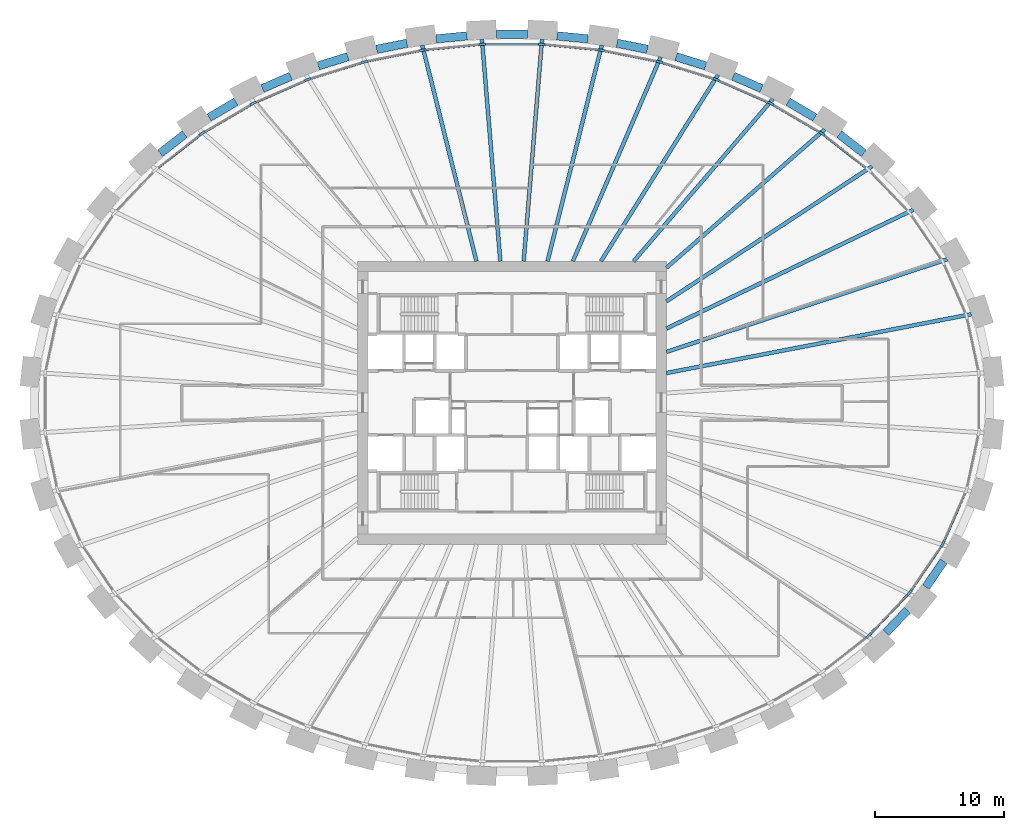
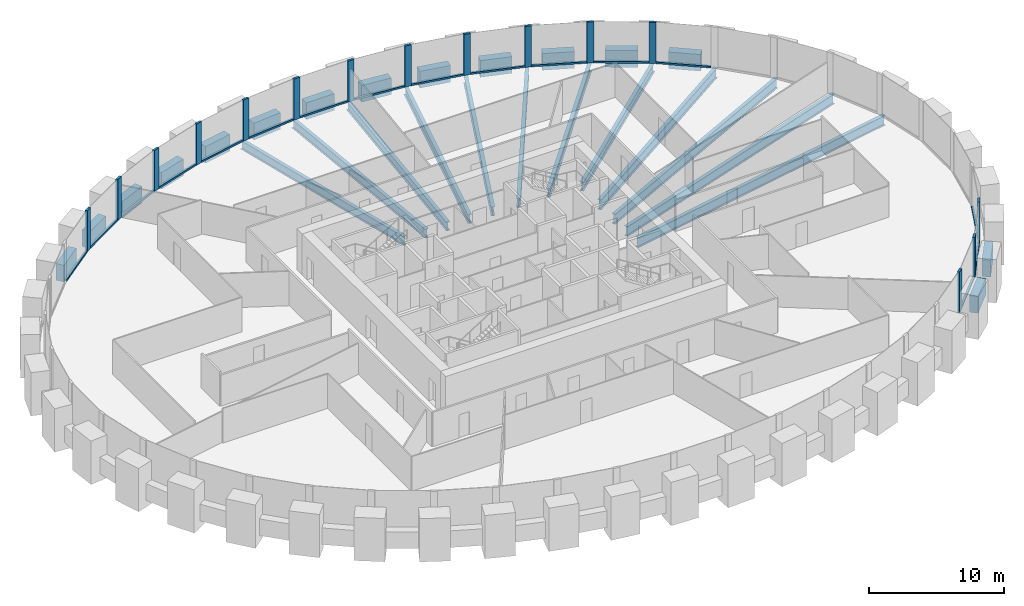
# One storey, part 3 of 10: 31 members, 27 beams, 1 element without a shape of its own.
"""IFC4 building model written with IfcOpenShell, lengths in metres."""

from ifc_helpers import new_model, si_unit, direction, frame, origin, origin_2d, place, context, subcontext, project, spatial, rectangle, i_section, extrude, source, transform, mapped, material, material_profile, profile_set, type_object, element, aggregate, save


model = new_model("IFC4")

# Units and contexts
model_context = context("Model", 3, precision=1e-05, world=origin(), true_north=direction((0.0, 1.0)))
body_context = subcontext(model_context, "Body", "Model", "MODEL_VIEW")
ifc_project = project(units=[si_unit("LENGTHUNIT", "METRE"), si_unit("AREAUNIT", "SQUARE_METRE"), si_unit("VOLUMEUNIT", "CUBIC_METRE"), si_unit("PLANEANGLEUNIT", "RADIAN"), si_unit("MASSUNIT", "GRAM", prefix="KILO")], contexts=[model_context])

# Site, building, storey
site_placement = place(None, origin())
site = spatial("IfcSite", under=ifc_project, at=site_placement, CompositionType="ELEMENT")
building_placement = place(site_placement, origin())
building = spatial("IfcBuilding", under=site, at=building_placement, Name="Embergate Tower", CompositionType="ELEMENT")
storey_placement = place(building_placement, frame((0.0, 0.0, 163.800048828125)))
storey = spatial("IfcBuildingStorey", under=building, at=storey_placement, Name="L36", CompositionType="ELEMENT", Elevation=163.800048828125)

# Beams
ifc_material_1 = material(Name="Concrete C70", Category="concrete")
ifc_material_profile_1 = material_profile(ifc_material_1, rectangle(XDim=0.64990234375, YDim=1.5, at=origin_2d()), Name="RC 650x1500")
ifc_profile_set_1 = profile_set([ifc_material_profile_1], Name="Concrete C70")
beam_type_1 = type_object("IfcBeamType", Name="Spandrel beam RC 650x1500 C70", PredefinedType="BEAM", material=ifc_profile_set_1)
shared_shape_1 = source(origin(), body_context, "Body", "SweptSolid", [
    extrude(rectangle(XDim=0.64990234375, YDim=1.5, at=origin_2d()), origin(), (0.0, 0.0, 1.0), 2.42724609375),
])
beam_1_placement = place(storey_placement, frame((32.175048828125, -14.322021484375, 0.0), z_axis=(0.562359541569, 0.826892826191, 0.0), x_axis=(-0.826892826191, 0.562359541569, 0.0)))
element("IfcBeam", 1, at=beam_1_placement, inside=storey, type_object=beam_type_1, Name="SPN-L36-40", PredefinedType="BEAM", context=body_context, shape_type="MappedRepresentation", body=[
    mapped(shared_shape_1, transform((0.0, 0.0, 0.0))),
])
shared_shape_2 = source(origin(), body_context, "Body", "SweptSolid", [
    extrude(rectangle(XDim=0.64990234375, YDim=1.5, at=origin_2d()), origin(), (0.0, 0.0, 1.0), 2.421630859375),
])
beam_2_placement = place(storey_placement, frame((29.05908203125, -17.864013671875, 0.0), z_axis=(0.68996725843, 0.723840577955, 0.0), x_axis=(-0.723840577955, 0.68996725843, 0.0)))
element("IfcBeam", 2, at=beam_2_placement, inside=storey, type_object=beam_type_1, Name="SPN-L36-39", PredefinedType="BEAM", context=body_context, shape_type="MappedRepresentation", body=[
    mapped(shared_shape_2, transform((0.0, 0.0, 0.0))),
])
shared_shape_3 = source(origin(), body_context, "Body", "SweptSolid", [
    extrude(rectangle(XDim=0.64990234375, YDim=1.5, at=origin_2d()), origin(), (0.0, 0.0, 1.0), 2.415283203125),
])
for number, where, z_axis, x_axis, name in (
    (3, (27.341064453125, 19.39306640625, 0.0), (-0.788366005977, 0.61520650242, 0.0), (-0.61520650242, -0.788366005977, 0.0), "SPN-L36-04"),
    (4, (-25.43701171875, 20.87890625, 0.0), (-0.788366005977, -0.61520650242, 0.0), (0.61520650242, -0.788366005977, 0.0), "SPN-L36-16"),
):
    element("IfcBeam", number, at=place(storey_placement, frame(where, z_axis=z_axis, x_axis=x_axis)), inside=storey, type_object=beam_type_1, Name=name, PredefinedType="BEAM", context=body_context, shape_type="MappedRepresentation", body=[
        mapped(shared_shape_3, transform((0.0, 0.0, 0.0))),
    ])
shared_shape_4 = source(origin(), body_context, "Body", "SweptSolid", [
    extrude(rectangle(XDim=0.64990234375, YDim=1.5, at=origin_2d()), origin(), (0.0, 0.0, 1.0), 2.41015625),
])
for number, where, z_axis, x_axis, name in (
    (5, (23.534912109375, 22.172119140625, 0.0), (-0.862176302717, 0.506608352707, 0.0), (-0.506608352707, -0.862176302717, 0.0), "SPN-L36-05"),
    (6, (-21.45703125, 23.39306640625, 0.0), (-0.862176302717, -0.506608352707, 0.0), (0.506608352707, -0.862176302717, 0.0), "SPN-L36-15"),
):
    element("IfcBeam", number, at=place(storey_placement, frame(where, z_axis=z_axis, x_axis=x_axis)), inside=storey, type_object=beam_type_1, Name=name, PredefinedType="BEAM", context=body_context, shape_type="MappedRepresentation", body=[
        mapped(shared_shape_4, transform((0.0, 0.0, 0.0))),
    ])
shared_shape_5 = source(origin(), body_context, "Body", "SweptSolid", [
    extrude(rectangle(XDim=0.64990234375, YDim=1.5, at=origin_2d()), origin(), (0.0, 0.0, 1.0), 2.405029296875),
])
for number, where, z_axis, x_axis, name in (
    (7, (19.39892578125, 24.4208984375, 0.0), (-0.916318010886, 0.400451373983, 0.0), (-0.400451373983, -0.916318010886, 0.0), "SPN-L36-06"),
    (8, (-17.195068359375, 25.384033203125, 0.0), (-0.916318010886, -0.400451373983, 0.0), (0.400451373983, -0.916318010886, 0.0), "SPN-L36-14"),
):
    element("IfcBeam", number, at=place(storey_placement, frame(where, z_axis=z_axis, x_axis=x_axis)), inside=storey, type_object=beam_type_1, Name=name, PredefinedType="BEAM", context=body_context, shape_type="MappedRepresentation", body=[
        mapped(shared_shape_5, transform((0.0, 0.0, 0.0))),
    ])
shared_shape_6 = source(origin(), body_context, "Body", "SweptSolid", [
    extrude(rectangle(XDim=0.64990234375, YDim=1.5, at=origin_2d()), origin(), (0.0, 0.0, 1.0), 2.40283203125),
])
for number, where, z_axis, x_axis, name in (
    (9, (15.0400390625, 26.18798828125, 0.0), (-0.954689462561, 0.297603813946, 0.0), (-0.297603813946, -0.954689462561, 0.0), "SPN-L36-07"),
    (10, (-12.74609375, 26.903076171875, 0.0), (-0.954689462561, -0.297603813946, 0.0), (0.297603813946, -0.954689462561, 0.0), "SPN-L36-13"),
):
    element("IfcBeam", number, at=place(storey_placement, frame(where, z_axis=z_axis, x_axis=x_axis)), inside=storey, type_object=beam_type_1, Name=name, PredefinedType="BEAM", context=body_context, shape_type="MappedRepresentation", body=[
        mapped(shared_shape_6, transform((0.0, 0.0, 0.0))),
    ])
shared_shape_7 = source(origin(), body_context, "Body", "SweptSolid", [
    extrude(rectangle(XDim=0.64990234375, YDim=1.5, at=origin_2d()), origin(), (0.0, 0.0, 1.0), 2.402099609375),
])
for number, where, z_axis, x_axis, name in (
    (11, (10.51708984375, 27.471923828125, 0.0), (-0.980408294351, 0.196976080702, 0.0), (-0.196976080702, -0.980408294351, 0.0), "SPN-L36-08"),
    (12, (-8.162109375, 27.945068359375, 0.0), (-0.980408294351, -0.196976080702, 0.0), (0.196976080702, -0.980408294351, 0.0), "SPN-L36-12"),
):
    element("IfcBeam", number, at=place(storey_placement, frame(where, z_axis=z_axis, x_axis=x_axis)), inside=storey, type_object=beam_type_1, Name=name, PredefinedType="BEAM", context=body_context, shape_type="MappedRepresentation", body=[
        mapped(shared_shape_7, transform((0.0, 0.0, 0.0))),
    ])
shared_shape_8 = source(origin(), body_context, "Body", "SweptSolid", [
    extrude(rectangle(XDim=0.64990234375, YDim=1.5, at=origin_2d()), origin(), (0.0, 0.0, 1.0), 2.4013671875),
])
for number, where, z_axis, x_axis, name in (
    (13, (5.886962890625, 28.283935546875, 0.0), (-0.995235491499, 0.097500340826, 0.0), (-0.097500340826, -0.995235491499, 0.0), "SPN-L36-09"),
    (14, (-3.4970703125, 28.51806640625, 0.0), (-0.995235491499, -0.097500340826, 0.0), (0.097500340826, -0.995235491499, 0.0), "SPN-L36-11"),
):
    element("IfcBeam", number, at=place(storey_placement, frame(where, z_axis=z_axis, x_axis=x_axis)), inside=storey, type_object=beam_type_1, Name=name, PredefinedType="BEAM", context=body_context, shape_type="MappedRepresentation", body=[
        mapped(shared_shape_8, transform((0.0, 0.0, 0.0))),
    ])
shared_shape_9 = source(origin(), body_context, "Body", "SweptSolid", [
    extrude(rectangle(XDim=0.64990234375, YDim=1.5, at=origin_2d()), origin(), (0.0, 0.0, 1.0), 2.39990234375),
])
beam_3_placement = place(storey_placement, frame((1.199951171875, 28.631103515625, 0.0), z_axis=(-1.0, 0.0, 0.0), x_axis=(0.0, -1.0, 0.0)))
element("IfcBeam", 15, at=beam_3_placement, inside=storey, type_object=beam_type_1, Name="SPN-L36-10", PredefinedType="BEAM", context=body_context, shape_type="MappedRepresentation", body=[
    mapped(shared_shape_9, transform((0.0, 0.0, 0.0))),
])
ifc_material_2 = material(Name="Steel Q355B", Category="steel")
ifc_material_profile_2 = material_profile(ifc_material_2, i_section(OverallWidth=0.300048828125, OverallDepth=0.89990234375, WebThickness=0.01611328125, FlangeThickness=0.028076171875, FilletRadius=0.028076171875, at=origin_2d()), Name="HN 900x300x16x28")
ifc_profile_set_2 = profile_set([ifc_material_profile_2], Name="Steel Q355 grade B")
beam_type_2 = type_object("IfcBeamType", Name="Radial girder HN 900x300x16x28", PredefinedType="BEAM", material=ifc_profile_set_2)
shared_shape_10 = source(origin(), body_context, "Body", "SweptSolid", [
    extrude(i_section(OverallWidth=0.300048828125, OverallDepth=0.89990234375, WebThickness=0.01611328125, FlangeThickness=0.028076171875, FilletRadius=0.028076171875, at=origin_2d()), origin(), (0.0, 0.0, 1.0), 24.12548828125),
])
beam_4_placement = place(storey_placement, frame((35.68896484375, 6.884033203125, -0.650146484375), z_axis=(-0.981902359672, -0.189387845628, 0.0), x_axis=(0.189387845628, -0.981902359672, 0.0)))
element("IfcBeam", 16, at=beam_4_placement, inside=storey, type_object=beam_type_2, Name="GIR-L36-01", PredefinedType="BEAM", context=body_context, shape_type="MappedRepresentation", body=[
    mapped(shared_shape_10, transform((0.0, 0.0, 0.0))),
])
shared_shape_11 = source(origin(), body_context, "Body", "SweptSolid", [
    extrude(i_section(OverallWidth=0.300048828125, OverallDepth=0.89990234375, WebThickness=0.01611328125, FlangeThickness=0.028076171875, FilletRadius=0.028076171875, at=origin_2d()), origin(), (0.0, 0.0, 1.0), 22.97265625),
])
beam_5_placement = place(storey_placement, frame((33.81689453125, 11.152099609375, -0.650146484375), z_axis=(-0.949687014879, -0.313200532838, 0.0), x_axis=(0.313200532838, -0.949687014879, 0.0)))
element("IfcBeam", 17, at=beam_5_placement, inside=storey, type_object=beam_type_2, Name="GIR-L36-02", PredefinedType="BEAM", context=body_context, shape_type="MappedRepresentation", body=[
    mapped(shared_shape_11, transform((0.0, 0.0, 0.0))),
])
shared_shape_12 = source(origin(), body_context, "Body", "SweptSolid", [
    extrude(i_section(OverallWidth=0.300048828125, OverallDepth=0.89990234375, WebThickness=0.01611328125, FlangeThickness=0.028076171875, FilletRadius=0.028076171875, at=origin_2d()), origin(), (0.0, 0.0, 1.0), 21.301025390625),
])
beam_6_placement = place(storey_placement, frame((31.195068359375, 15.008056640625, -0.650146484375), z_axis=(-0.901129390798, -0.433550252035, 0.0), x_axis=(0.433550252035, -0.901129390798, 0.0)))
element("IfcBeam", 18, at=beam_6_placement, inside=storey, type_object=beam_type_2, Name="GIR-L36-03", PredefinedType="BEAM", context=body_context, shape_type="MappedRepresentation", body=[
    mapped(shared_shape_12, transform((0.0, 0.0, 0.0))),
])
shared_shape_13 = source(origin(), body_context, "Body", "SweptSolid", [
    extrude(i_section(OverallWidth=0.300048828125, OverallDepth=0.89990234375, WebThickness=0.01611328125, FlangeThickness=0.028076171875, FilletRadius=0.028076171875, at=origin_2d()), origin(), (0.0, 0.0, 1.0), 19.1181640625),
])
beam_7_placement = place(storey_placement, frame((27.97802734375, 18.382080078125, -0.650146484375), z_axis=(-0.835748679781, -0.549112141775, 0.0), x_axis=(0.549112141775, -0.835748679781, 0.0)))
element("IfcBeam", 19, at=beam_7_placement, inside=storey, type_object=beam_type_2, Name="GIR-L36-04", PredefinedType="BEAM", context=body_context, shape_type="MappedRepresentation", body=[
    mapped(shared_shape_13, transform((0.0, 0.0, 0.0))),
])
ifc_material_profile_3 = material_profile(ifc_material_2, i_section(OverallWidth=0.300048828125, OverallDepth=0.800048828125, WebThickness=0.013916015625, FlangeThickness=0.02587890625, FilletRadius=0.028076171875, at=origin_2d()), Name="HN 800x300x14x26")
ifc_profile_set_3 = profile_set([ifc_material_profile_3], Name="Steel Q355 grade B")
beam_type_3 = type_object("IfcBeamType", Name="Radial girder HN 800x300x14x26", PredefinedType="BEAM", material=ifc_profile_set_3)
shared_shape_14 = source(origin(), body_context, "Body", "SweptSolid", [
    extrude(i_section(OverallWidth=0.300048828125, OverallDepth=0.800048828125, WebThickness=0.013916015625, FlangeThickness=0.02587890625, FilletRadius=0.028076171875, at=origin_2d()), origin(), (0.0, 0.0, 1.0), 16.341796875),
])
beam_8_placement = place(storey_placement, frame((24.301025390625, 21.251953125, -0.60009765625), z_axis=(-0.752738629267, -0.65831949387, 0.0), x_axis=(0.65831949387, -0.752738629267, 0.0)))
element("IfcBeam", 20, at=beam_8_placement, inside=storey, type_object=beam_type_3, Name="GIR-L36-05", PredefinedType="BEAM", context=body_context, shape_type="MappedRepresentation", body=[
    mapped(shared_shape_14, transform((0.0, 0.0, 0.0))),
])
shared_shape_15 = source(origin(), body_context, "Body", "SweptSolid", [
    extrude(i_section(OverallWidth=0.300048828125, OverallDepth=0.800048828125, WebThickness=0.013916015625, FlangeThickness=0.02587890625, FilletRadius=0.028076171875, at=origin_2d()), origin(), (0.0, 0.0, 1.0), 16.62939453125),
])
beam_9_placement = place(storey_placement, frame((20.280029296875, 23.615966796875, -0.60009765625), z_axis=(-0.651494757219, -0.758653136364, 0.0), x_axis=(0.758653136364, -0.651494757219, 0.0)))
element("IfcBeam", 21, at=beam_9_placement, inside=storey, type_object=beam_type_3, Name="GIR-L36-06", PredefinedType="BEAM", context=body_context, shape_type="MappedRepresentation", body=[
    mapped(shared_shape_15, transform((0.0, 0.0, 0.0))),
])
shared_shape_16 = source(origin(), body_context, "Body", "SweptSolid", [
    extrude(i_section(OverallWidth=0.300048828125, OverallDepth=0.800048828125, WebThickness=0.013916015625, FlangeThickness=0.02587890625, FilletRadius=0.028076171875, at=origin_2d()), origin(), (0.0, 0.0, 1.0), 17.103271484375),
])
beam_10_placement = place(storey_placement, frame((16.0048828125, 25.48388671875, -0.60009765625), z_axis=(-0.531827416629, -0.846852761064, 0.0), x_axis=(0.846852761064, -0.531827416629, 0.0)))
element("IfcBeam", 22, at=beam_10_placement, inside=storey, type_object=beam_type_3, Name="GIR-L36-07", PredefinedType="BEAM", context=body_context, shape_type="MappedRepresentation", body=[
    mapped(shared_shape_16, transform((0.0, 0.0, 0.0))),
])
shared_shape_17 = source(origin(), body_context, "Body", "SweptSolid", [
    extrude(i_section(OverallWidth=0.300048828125, OverallDepth=0.800048828125, WebThickness=0.013916015625, FlangeThickness=0.02587890625, FilletRadius=0.028076171875, at=origin_2d()), origin(), (0.0, 0.0, 1.0), 17.2763671875),
])
beam_11_placement = place(storey_placement, frame((11.551025390625, 26.8720703125, -0.60009765625), z_axis=(-0.394930430289, -0.918711029232, 0.0), x_axis=(0.918711029232, -0.394930430289, 0.0)))
element("IfcBeam", 23, at=beam_11_placement, inside=storey, type_object=beam_type_3, Name="GIR-L36-08", PredefinedType="BEAM", context=body_context, shape_type="MappedRepresentation", body=[
    mapped(shared_shape_17, transform((0.0, 0.0, 0.0))),
])
shared_shape_18 = source(origin(), body_context, "Body", "SweptSolid", [
    extrude(i_section(OverallWidth=0.300048828125, OverallDepth=0.800048828125, WebThickness=0.013916015625, FlangeThickness=0.02587890625, FilletRadius=0.028076171875, at=origin_2d()), origin(), (0.0, 0.0, 1.0), 17.31103515625),
])
for number, where, z_axis, x_axis, name in (
    (24, (6.97607421875, 27.7900390625, -0.60009765625), (-0.243491204419, -0.969903105145, 0.0), (0.969903105145, -0.243491204419, 0.0), "GIR-L36-09"),
    (25, (-6.97607421875, 27.7900390625, -0.60009765625), (0.243491204419, -0.969903105145, 0.0), (0.969903105145, 0.243491204419, 0.0), "GIR-L36-12"),
):
    element("IfcBeam", number, at=place(storey_placement, frame(where, z_axis=z_axis, x_axis=x_axis)), inside=storey, type_object=beam_type_3, Name=name, PredefinedType="BEAM", context=body_context, shape_type="MappedRepresentation", body=[
        mapped(shared_shape_18, transform((0.0, 0.0, 0.0))),
    ])
shared_shape_19 = source(origin(), body_context, "Body", "SweptSolid", [
    extrude(i_section(OverallWidth=0.300048828125, OverallDepth=0.800048828125, WebThickness=0.013916015625, FlangeThickness=0.02587890625, FilletRadius=0.028076171875, at=origin_2d()), origin(), (0.0, 0.0, 1.0), 17.304931640625),
])
for number, where, z_axis, x_axis, name in (
    (26, (2.3330078125, 28.24609375, -0.60009765625), (-0.082349584625, -0.996603504866, 0.0), (0.996603504866, -0.082349584625, 0.0), "GIR-L36-10"),
    (27, (-2.3330078125, 28.24609375, -0.60009765625), (0.082349584625, -0.996603504866, 0.0), (0.996603504866, 0.082349584625, 0.0), "GIR-L36-11"),
):
    element("IfcBeam", number, at=place(storey_placement, frame(where, z_axis=z_axis, x_axis=x_axis)), inside=storey, type_object=beam_type_3, Name=name, PredefinedType="BEAM", context=body_context, shape_type="MappedRepresentation", body=[
        mapped(shared_shape_19, transform((0.0, 0.0, 0.0))),
    ])

# Curtain wall, members
ifc_material_3 = material(Name="Aluminium and glass", Category="aluminium")
curtain_wall_type = type_object("IfcCurtainWallType", Name="Recessed office glazing", PredefinedType="NOTDEFINED", material=ifc_material_3)
curtain_wall_placement = place(storey_placement, origin())
curtain_wall = element("IfcCurtainWall", 28, at=curtain_wall_placement, inside=storey, type_object=curtain_wall_type, Name="Recessed office glazing ring", ObjectType="RECESSED OFFICE GLAZING", PredefinedType="USERDEFINED")
ifc_material_4 = material(Name="Aluminium, thermally broken", Category="aluminium")
ifc_material_profile_4 = material_profile(ifc_material_4, rectangle(XDim=0.179931640625, YDim=0.52001953125, at=origin_2d()), Name="AL 520x180")
ifc_profile_set_4 = profile_set([ifc_material_profile_4], Name="Aluminium, thermally broken")
member_type_1 = type_object("IfcMemberType", Name="Office mullion", PredefinedType="MULLION", material=ifc_profile_set_4)
shared_shape_20 = source(origin(), body_context, "Body", "SweptSolid", [
    extrude(rectangle(XDim=0.179931640625, YDim=0.52001953125, at=origin_2d()), origin(), (0.0, 0.0, 1.0), 3.699951171875),
])
member_1_placement = place(storey_placement, frame((24.08251953125, 20.9287109375, 0.0), z_axis=(0.0, 0.0, 1.0), x_axis=(-0.562216175174, -0.826990309721, 0.0)))
member_1 = element("IfcMember", 29, at=member_1_placement, type_object=member_type_1, Name="CW mullion 6", PredefinedType="MULLION", context=body_context, shape_type="MappedRepresentation", body=[
    mapped(shared_shape_20, transform((0.0, 0.0, 0.0))),
])
member_2_placement = place(storey_placement, frame((20.103271484375, 23.26806640625, 0.0), z_axis=(0.0, 0.0, 1.0), x_axis=(-0.454509825889, -0.890741723605, 0.0)))
member_2 = element("IfcMember", 30, at=member_2_placement, type_object=member_type_1, Name="CW mullion 7", PredefinedType="MULLION", context=body_context, shape_type="MappedRepresentation", body=[
    mapped(shared_shape_20, transform((0.0, 0.0, 0.0))),
])
member_3_placement = place(storey_placement, frame((15.86962890625, 25.119384765625, 0.0), z_axis=(0.0, 0.0, 1.0), x_axis=(-0.349502682851, -0.936935363128, 0.0)))
member_3 = element("IfcMember", 31, at=member_3_placement, type_object=member_type_1, Name="CW mullion 8", PredefinedType="MULLION", context=body_context, shape_type="MappedRepresentation", body=[
    mapped(shared_shape_20, transform((0.0, 0.0, 0.0))),
])
member_4_placement = place(storey_placement, frame((11.454833984375, 26.494140625, 0.0), z_axis=(0.0, 0.0, 1.0), x_axis=(-0.24731188137, -0.968935928394, 0.0)))
member_4 = element("IfcMember", 32, at=member_4_placement, type_object=member_type_1, Name="CW mullion 9", PredefinedType="MULLION", context=body_context, shape_type="MappedRepresentation", body=[
    mapped(shared_shape_20, transform((0.0, 0.0, 0.0))),
])
member_5_placement = place(storey_placement, frame((6.919189453125, 27.40380859375, 0.0), z_axis=(0.0, 0.0, 1.0), x_axis=(-0.147412382818, -0.989075118174, 0.0)))
member_5 = element("IfcMember", 33, at=member_5_placement, type_object=member_type_1, Name="CW mullion 10", PredefinedType="MULLION", context=body_context, shape_type="MappedRepresentation", body=[
    mapped(shared_shape_20, transform((0.0, 0.0, 0.0))),
])
member_6_placement = place(storey_placement, frame((2.31396484375, 27.8564453125, 0.0), z_axis=(0.0, 0.0, 1.0), x_axis=(-0.048971796621, -0.998800161762, 0.0)))
member_6 = element("IfcMember", 34, at=member_6_placement, type_object=member_type_1, Name="CW mullion 11", PredefinedType="MULLION", context=body_context, shape_type="MappedRepresentation", body=[
    mapped(shared_shape_20, transform((0.0, 0.0, 0.0))),
])
member_7_placement = place(storey_placement, frame((-2.31396484375, 27.8564453125, 0.0), z_axis=(0.0, 0.0, 1.0), x_axis=(0.048971796621, -0.998800161762, 0.0)))
member_7 = element("IfcMember", 35, at=member_7_placement, type_object=member_type_1, Name="CW mullion 12", PredefinedType="MULLION", context=body_context, shape_type="MappedRepresentation", body=[
    mapped(shared_shape_20, transform((0.0, 0.0, 0.0))),
])
member_8_placement = place(storey_placement, frame((-6.919189453125, 27.40380859375, 0.0), z_axis=(0.0, 0.0, 1.0), x_axis=(0.147412382818, -0.989075118174, 0.0)))
member_8 = element("IfcMember", 36, at=member_8_placement, type_object=member_type_1, Name="CW mullion 13", PredefinedType="MULLION", context=body_context, shape_type="MappedRepresentation", body=[
    mapped(shared_shape_20, transform((0.0, 0.0, 0.0))),
])
member_9_placement = place(storey_placement, frame((-11.454833984375, 26.494140625, 0.0), z_axis=(0.0, 0.0, 1.0), x_axis=(0.24731188137, -0.968935928394, 0.0)))
member_9 = element("IfcMember", 37, at=member_9_placement, type_object=member_type_1, Name="CW mullion 14", PredefinedType="MULLION", context=body_context, shape_type="MappedRepresentation", body=[
    mapped(shared_shape_20, transform((0.0, 0.0, 0.0))),
])
member_10_placement = place(storey_placement, frame((-15.86962890625, 25.119384765625, 0.0), z_axis=(0.0, 0.0, 1.0), x_axis=(0.349502682851, -0.936935363128, 0.0)))
member_10 = element("IfcMember", 38, at=member_10_placement, type_object=member_type_1, Name="CW mullion 15", PredefinedType="MULLION", context=body_context, shape_type="MappedRepresentation", body=[
    mapped(shared_shape_20, transform((0.0, 0.0, 0.0))),
])
member_11_placement = place(storey_placement, frame((-20.103271484375, 23.26806640625, 0.0), z_axis=(0.0, 0.0, 1.0), x_axis=(0.454509825889, -0.890741723605, 0.0)))
member_11 = element("IfcMember", 39, at=member_11_placement, type_object=member_type_1, Name="CW mullion 16", PredefinedType="MULLION", context=body_context, shape_type="MappedRepresentation", body=[
    mapped(shared_shape_20, transform((0.0, 0.0, 0.0))),
])
member_12_placement = place(storey_placement, frame((-24.08251953125, 20.9287109375, 0.0), z_axis=(0.0, 0.0, 1.0), x_axis=(0.562216175174, -0.826990309721, 0.0)))
member_12 = element("IfcMember", 40, at=member_12_placement, type_object=member_type_1, Name="CW mullion 17", PredefinedType="MULLION", context=body_context, shape_type="MappedRepresentation", body=[
    mapped(shared_shape_20, transform((0.0, 0.0, 0.0))),
])
member_13_placement = place(storey_placement, frame((27.716796875, -18.092041015625, 0.0), z_axis=(0.0, 0.0, 1.0), x_axis=(-0.671226533956, 0.741252278319, 0.0)))
member_13 = element("IfcMember", 41, at=member_13_placement, type_object=member_type_1, Name="CW mullion 40", PredefinedType="MULLION", context=body_context, shape_type="MappedRepresentation", body=[
    mapped(shared_shape_20, transform((0.0, 0.0, 0.0))),
])
member_14_placement = place(storey_placement, frame((30.89306640625, -14.76123046875, 0.0), z_axis=(0.0, 0.0, 1.0), x_axis=(-0.777872564355, 0.628422050555, 0.0)))
member_14 = element("IfcMember", 42, at=member_14_placement, type_object=member_type_1, Name="CW mullion 41", PredefinedType="MULLION", context=body_context, shape_type="MappedRepresentation", body=[
    mapped(shared_shape_20, transform((0.0, 0.0, 0.0))),
])
member_15_placement = place(storey_placement, frame((33.4765625, -10.96240234375, 0.0), z_axis=(0.0, 0.0, 1.0), x_axis=(-0.875001895832, 0.484119491748, 0.0)))
member_15 = element("IfcMember", 43, at=member_15_placement, type_object=member_type_1, Name="CW mullion 42", PredefinedType="MULLION", context=body_context, shape_type="MappedRepresentation", body=[
    mapped(shared_shape_20, transform((0.0, 0.0, 0.0))),
])
ifc_material_profile_5 = material_profile(ifc_material_4, rectangle(XDim=0.179931640625, YDim=0.14990234375, at=origin_2d()), Name="AL 150x180")
ifc_profile_set_5 = profile_set([ifc_material_profile_5], Name="Aluminium, thermally broken")
member_type_2 = type_object("IfcMemberType", Name="Office sill transom", PredefinedType="USERDEFINED", material=ifc_profile_set_5)
shared_shape_21 = source(origin(), body_context, "Body", "SweptSolid", [
    extrude(rectangle(XDim=0.179931640625, YDim=0.14990234375, at=origin_2d()), origin(), (0.0, 0.0, 1.0), 4.06494140625),
])
member_16_placement = place(storey_placement, frame((33.580810546875, -10.724365234375, 0.074951171875), z_axis=(0.401675633899, 0.91578200743, 0.0), x_axis=(-0.91578200743, 0.401675633899, 0.0)))
member_16 = element("IfcMember", 44, at=member_16_placement, type_object=member_type_2, Name="CW transom 42.1", ObjectType="TRANSOM", PredefinedType="USERDEFINED", context=body_context, shape_type="MappedRepresentation", body=[
    mapped(shared_shape_21, transform((0.0, 0.0, 0.0))),
])
shared_shape_22 = source(origin(), body_context, "Body", "SweptSolid", [
    extrude(rectangle(XDim=0.179931640625, YDim=0.14990234375, at=origin_2d()), origin(), (0.0, 0.0, 1.0), 4.073974609375),
])
member_17_placement = place(storey_placement, frame((31.039306640625, -14.54638671875, 0.074951171875), z_axis=(0.562337885641, 0.826907553704, 0.0), x_axis=(-0.826907553704, 0.562337885641, 0.0)))
member_17 = element("IfcMember", 45, at=member_17_placement, type_object=member_type_2, Name="CW transom 41.1", ObjectType="TRANSOM", PredefinedType="USERDEFINED", context=body_context, shape_type="MappedRepresentation", body=[
    mapped(shared_shape_22, transform((0.0, 0.0, 0.0))),
])
shared_shape_23 = source(origin(), body_context, "Body", "SweptSolid", [
    extrude(rectangle(XDim=0.179931640625, YDim=0.14990234375, at=origin_2d()), origin(), (0.0, 0.0, 1.0), 4.082763671875),
])
member_18_placement = place(storey_placement, frame((27.89599609375, -17.904052734375, 0.074951171875), z_axis=(0.690134333582, 0.723681284552, 0.0), x_axis=(-0.723681284552, 0.690134333582, 0.0)))
member_18 = element("IfcMember", 46, at=member_18_placement, type_object=member_type_2, Name="CW transom 40.1", ObjectType="TRANSOM", PredefinedType="USERDEFINED", context=body_context, shape_type="MappedRepresentation", body=[
    mapped(shared_shape_23, transform((0.0, 0.0, 0.0))),
])
shared_shape_24 = source(origin(), body_context, "Body", "SweptSolid", [
    extrude(rectangle(XDim=0.179931640625, YDim=0.14990234375, at=origin_2d()), origin(), (0.0, 0.0, 1.0), 4.090087890625),
])
member_19_placement = place(storey_placement, frame((27.51171875, 18.252197265625, 0.074951171875), z_axis=(-0.788341910095, 0.615237379219, 0.0), x_axis=(-0.615237379219, -0.788341910095, 0.0)))
member_19 = element("IfcMember", 47, at=member_19_placement, type_object=member_type_2, Name="CW transom 5.1", ObjectType="TRANSOM", PredefinedType="USERDEFINED", context=body_context, shape_type="MappedRepresentation", body=[
    mapped(shared_shape_24, transform((0.0, 0.0, 0.0))),
])
member_20_placement = place(storey_placement, frame((-24.287353515625, 20.7685546875, 0.074951171875), z_axis=(-0.788341910095, -0.615237379219, 0.0), x_axis=(0.615237379219, -0.788341910095, 0.0)))
member_20 = element("IfcMember", 48, at=member_20_placement, type_object=member_type_2, Name="CW transom 17.1", ObjectType="TRANSOM", PredefinedType="USERDEFINED", context=body_context, shape_type="MappedRepresentation", body=[
    mapped(shared_shape_24, transform((0.0, 0.0, 0.0))),
])
shared_shape_25 = source(origin(), body_context, "Body", "SweptSolid", [
    extrude(rectangle(XDim=0.179931640625, YDim=0.14990234375, at=origin_2d()), origin(), (0.0, 0.0, 1.0), 4.095947265625),
])
member_21_placement = place(storey_placement, frame((23.8583984375, 21.060302734375, 0.074951171875), z_axis=(-0.86205523764, 0.506814332134, 0.0), x_axis=(-0.506814332134, -0.86205523764, 0.0)))
member_21 = element("IfcMember", 49, at=member_21_placement, type_object=member_type_2, Name="CW transom 6.1", ObjectType="TRANSOM", PredefinedType="USERDEFINED", context=body_context, shape_type="MappedRepresentation", body=[
    mapped(shared_shape_25, transform((0.0, 0.0, 0.0))),
])
member_22_placement = place(storey_placement, frame((-20.327392578125, 23.13623046875, 0.074951171875), z_axis=(-0.86205523764, -0.506814332134, 0.0), x_axis=(0.506814332134, -0.86205523764, 0.0)))
member_22 = element("IfcMember", 50, at=member_22_placement, type_object=member_type_2, Name="CW transom 16.1", ObjectType="TRANSOM", PredefinedType="USERDEFINED", context=body_context, shape_type="MappedRepresentation", body=[
    mapped(shared_shape_25, transform((0.0, 0.0, 0.0))),
])
shared_shape_26 = source(origin(), body_context, "Body", "SweptSolid", [
    extrude(rectangle(XDim=0.179931640625, YDim=0.14990234375, at=origin_2d()), origin(), (0.0, 0.0, 1.0), 4.1005859375),
])
member_23_placement = place(storey_placement, frame((19.864990234375, 23.372314453125, 0.074951171875), z_axis=(-0.916237937351, 0.400634549382, 0.0), x_axis=(-0.400634549382, -0.916237937351, 0.0)))
member_23 = element("IfcMember", 51, at=member_23_placement, type_object=member_type_2, Name="CW transom 7.1", ObjectType="TRANSOM", PredefinedType="USERDEFINED", context=body_context, shape_type="MappedRepresentation", body=[
    mapped(shared_shape_26, transform((0.0, 0.0, 0.0))),
])
member_24_placement = place(storey_placement, frame((-16.10791015625, 25.01513671875, 0.074951171875), z_axis=(-0.916237937351, -0.400634549382, 0.0), x_axis=(0.400634549382, -0.916237937351, 0.0)))
member_24 = element("IfcMember", 52, at=member_24_placement, type_object=member_type_2, Name="CW transom 15.1", ObjectType="TRANSOM", PredefinedType="USERDEFINED", context=body_context, shape_type="MappedRepresentation", body=[
    mapped(shared_shape_26, transform((0.0, 0.0, 0.0))),
])
shared_shape_27 = source(origin(), body_context, "Body", "SweptSolid", [
    extrude(rectangle(XDim=0.179931640625, YDim=0.14990234375, at=origin_2d()), origin(), (0.0, 0.0, 1.0), 4.103759765625),
])
member_25_placement = place(storey_placement, frame((15.621337890625, 25.196533203125, 0.074951171875), z_axis=(-0.954772738111, 0.297336540911, 0.0), x_axis=(-0.297336540911, -0.954772738111, 0.0)))
member_25 = element("IfcMember", 53, at=member_25_placement, type_object=member_type_2, Name="CW transom 8.1", ObjectType="TRANSOM", PredefinedType="USERDEFINED", context=body_context, shape_type="MappedRepresentation", body=[
    mapped(shared_shape_27, transform((0.0, 0.0, 0.0))),
])
member_26_placement = place(storey_placement, frame((-11.703125, 26.416748046875, 0.074951171875), z_axis=(-0.954772738111, -0.297336540911, 0.0), x_axis=(0.297336540911, -0.954772738111, 0.0)))
member_26 = element("IfcMember", 54, at=member_26_placement, type_object=member_type_2, Name="CW transom 14.1", ObjectType="TRANSOM", PredefinedType="USERDEFINED", context=body_context, shape_type="MappedRepresentation", body=[
    mapped(shared_shape_27, transform((0.0, 0.0, 0.0))),
])
shared_shape_28 = source(origin(), body_context, "Body", "SweptSolid", [
    extrude(rectangle(XDim=0.179931640625, YDim=0.14990234375, at=origin_2d()), origin(), (0.0, 0.0, 1.0), 4.10595703125),
])
member_27_placement = place(storey_placement, frame((11.199951171875, 26.54541015625, 0.074951171875), z_axis=(-0.980477631016, 0.196630656505, 0.0), x_axis=(-0.196630656505, -0.980477631016, 0.0)))
member_27 = element("IfcMember", 55, at=member_27_placement, type_object=member_type_2, Name="CW transom 9.1", ObjectType="TRANSOM", PredefinedType="USERDEFINED", context=body_context, shape_type="MappedRepresentation", body=[
    mapped(shared_shape_28, transform((0.0, 0.0, 0.0))),
])
member_28_placement = place(storey_placement, frame((-7.174072265625, 27.352783203125, 0.074951171875), z_axis=(-0.980477631016, -0.196630656505, 0.0), x_axis=(0.196630656505, -0.980477631016, 0.0)))
member_28 = element("IfcMember", 56, at=member_28_placement, type_object=member_type_2, Name="CW transom 13.1", ObjectType="TRANSOM", PredefinedType="USERDEFINED", context=body_context, shape_type="MappedRepresentation", body=[
    mapped(shared_shape_28, transform((0.0, 0.0, 0.0))),
])
shared_shape_29 = source(origin(), body_context, "Body", "SweptSolid", [
    extrude(rectangle(XDim=0.179931640625, YDim=0.14990234375, at=origin_2d()), origin(), (0.0, 0.0, 1.0), 4.107666015625),
])
member_29_placement = place(storey_placement, frame((6.660400390625, 27.42919921875, 0.074951171875), z_axis=(-0.995202914721, 0.097832297995, 0.0), x_axis=(-0.097832297995, -0.995202914721, 0.0)))
member_29 = element("IfcMember", 57, at=member_29_placement, type_object=member_type_2, Name="CW transom 10.1", ObjectType="TRANSOM", PredefinedType="USERDEFINED", context=body_context, shape_type="MappedRepresentation", body=[
    mapped(shared_shape_29, transform((0.0, 0.0, 0.0))),
])
member_30_placement = place(storey_placement, frame((-2.572509765625, 27.8310546875, 0.074951171875), z_axis=(-0.995202914721, -0.097832297995, 0.0), x_axis=(0.097832297995, -0.995202914721, 0.0)))
member_30 = element("IfcMember", 58, at=member_30_placement, type_object=member_type_2, Name="CW transom 12.1", ObjectType="TRANSOM", PredefinedType="USERDEFINED", context=body_context, shape_type="MappedRepresentation", body=[
    mapped(shared_shape_29, transform((0.0, 0.0, 0.0))),
])
shared_shape_30 = source(origin(), body_context, "Body", "SweptSolid", [
    extrude(rectangle(XDim=0.179931640625, YDim=0.14990234375, at=origin_2d()), origin(), (0.0, 0.0, 1.0), 4.10791015625),
])
member_31_placement = place(storey_placement, frame((2.053955078125, 27.8564453125, 0.074951171875), z_axis=(-1.0, 0.0, 0.0), x_axis=(0.0, -1.0, 0.0)))
member_31 = element("IfcMember", 59, at=member_31_placement, type_object=member_type_2, Name="CW transom 11.1", ObjectType="TRANSOM", PredefinedType="USERDEFINED", context=body_context, shape_type="MappedRepresentation", body=[
    mapped(shared_shape_30, transform((0.0, 0.0, 0.0))),
])
aggregate(curtain_wall, [member_1, member_2, member_3, member_4, member_5, member_6, member_7, member_8, member_9, member_10, member_11, member_12, member_13, member_14, member_15, member_19, member_21, member_23, member_25, member_27, member_29, member_31, member_30, member_28, member_26, member_24, member_22, member_20, member_18, member_17, member_16])

save(model, "model.ifc")
